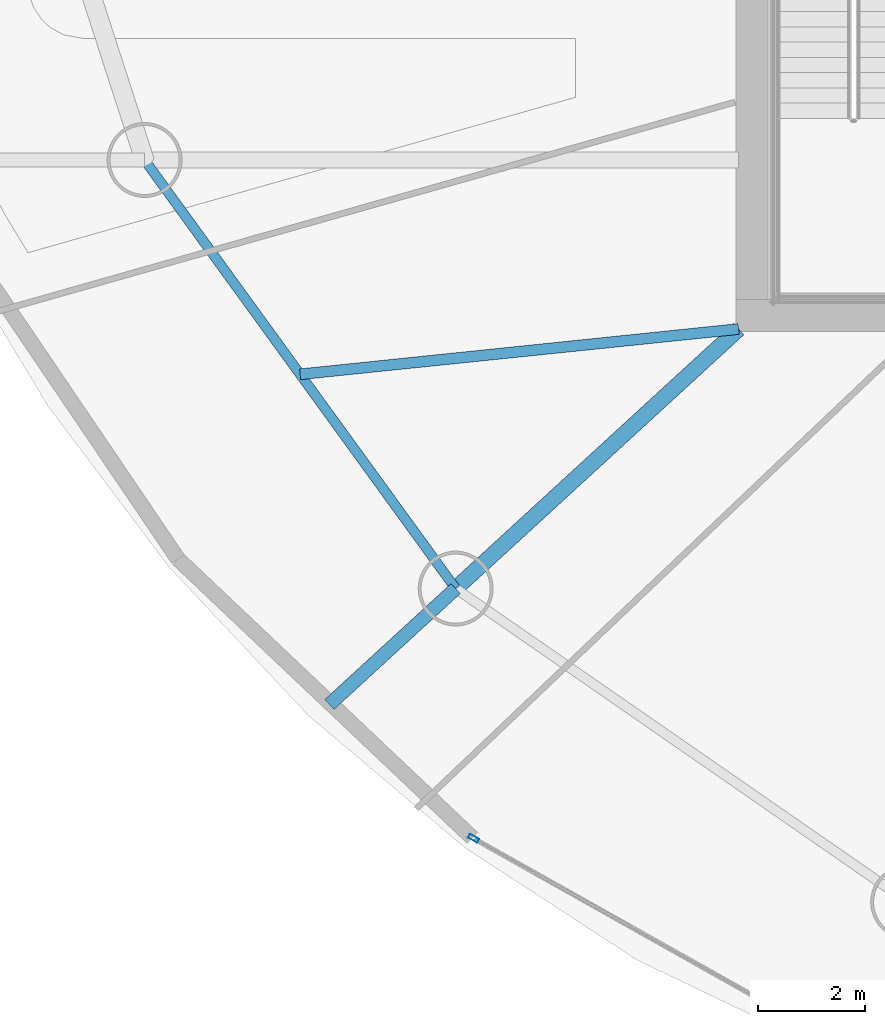
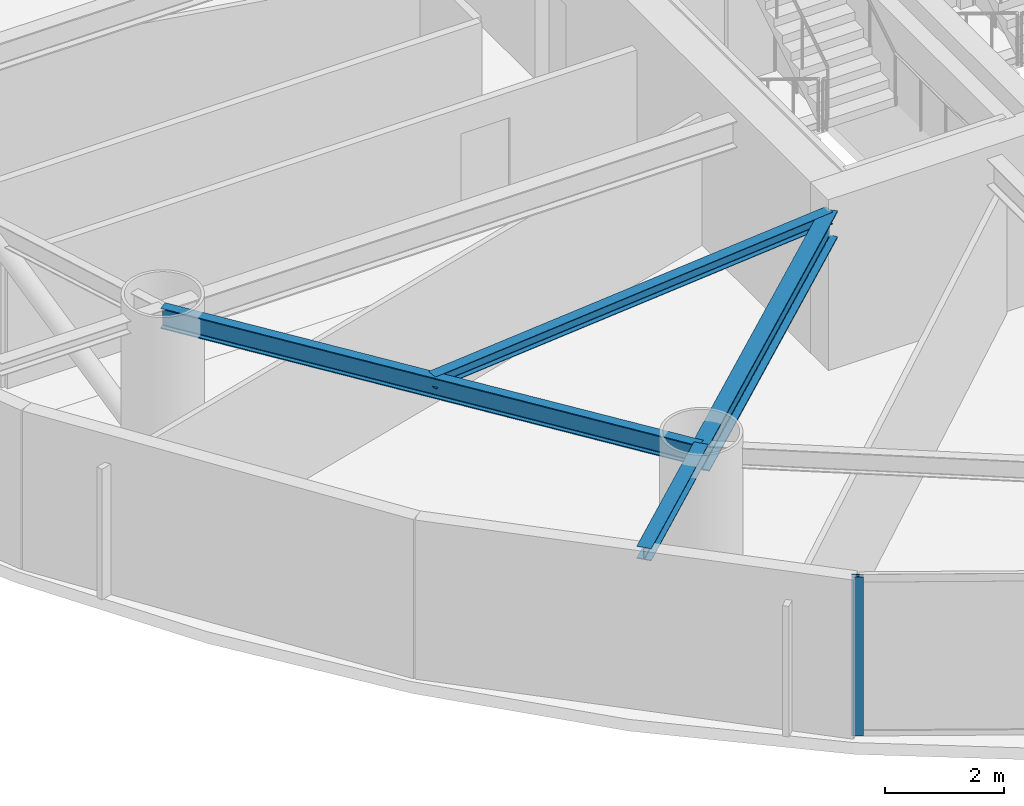
# One storey, part 2 of 22: 4 beams, 1 member, 1 element without a shape of its own.
"""IFC4 building model written with IfcOpenShell, lengths in metres."""

from ifc_helpers import new_model, si_unit, direction, frame, origin, origin_2d, place, context, subcontext, project, spatial, hollow_rectangle, i_section, extrude, material, layer, layer_set, material_profile, profile_set, type_object, element, aggregate, save


model = new_model("IFC4")

# Units and contexts
model_context = context("Model", 3, precision=1e-05, world=origin(), true_north=direction((0.0, 1.0)))
body_context = subcontext(model_context, "Body", "Model", "MODEL_VIEW")
ifc_project = project(units=[si_unit("LENGTHUNIT", "METRE"), si_unit("AREAUNIT", "SQUARE_METRE"), si_unit("VOLUMEUNIT", "CUBIC_METRE"), si_unit("PLANEANGLEUNIT", "RADIAN"), si_unit("MASSUNIT", "GRAM", prefix="KILO")], contexts=[model_context])

# Site, building, storey
site_placement = place(None, origin())
site = spatial("IfcSite", under=ifc_project, at=site_placement, CompositionType="ELEMENT")
building_placement = place(site_placement, origin())
building = spatial("IfcBuilding", under=site, at=building_placement, Name="Bramvorn Convention Spire", CompositionType="ELEMENT")
storey_placement = place(building_placement, frame((0.0, 0.0, 120.300048828125)))
storey = spatial("IfcBuildingStorey", under=building, at=storey_placement, Name="L29", CompositionType="ELEMENT", Elevation=120.300048828125)

# Beams
ifc_material_1 = material(Name="Steel CSA G40.21 Grade 350 (350W)", Category="steel")
ifc_material_profile_1 = material_profile(ifc_material_1, i_section(OverallWidth=0.201904296875, OverallDepth=0.2470703125, WebThickness=0.00732421875, FlangeThickness=0.010986328125, FilletRadius=0.011962890625, at=origin_2d()))
ifc_profile_set_1 = profile_set([ifc_material_profile_1], Name="Steel CSA G40.21 Grade 350 (350W) - W250X49")
beam_type_1 = type_object("IfcBeamType", Name="BM-W250X49", PredefinedType="JOIST", material=ifc_profile_set_1)
beam_1_placement = place(storey_placement, frame((26.75, 18.550048828125, 3.136474609375), z_axis=(-0.994705076194, -0.102770673804, 0.0), x_axis=(0.102770673804, -0.994705076194, 0.0)))
element("IfcBeam", 1, at=beam_1_placement, inside=storey, type_object=beam_type_1, Name="L29 composite floor joist 11", PredefinedType="JOIST", context=body_context, shape_type="SweptSolid", body=[
    extrude(i_section(OverallWidth=0.201904296875, OverallDepth=0.2470703125, WebThickness=0.00732421875, FlangeThickness=0.010986328125, FilletRadius=0.011962890625, at=origin_2d()), origin(), (0.0, 0.0, 1.0), 8.23388671875),
])
ifc_material_profile_2 = material_profile(ifc_material_1, i_section(OverallWidth=0.25390625, OverallDepth=0.2529296875, WebThickness=0.008544921875, FlangeThickness=0.01416015625, FilletRadius=0.011962890625, at=origin_2d()))
ifc_profile_set_2 = profile_set([ifc_material_profile_2], Name="Steel CSA G40.21 Grade 350 (350W) - W250X73")
beam_type_2 = type_object("IfcBeamType", Name="BM-W250X73", PredefinedType="BEAM", material=ifc_profile_set_2)
beam_2_placement = place(storey_placement, frame((21.465087890625, 13.700927734375, 3.133544921875), z_axis=(-0.736821501531, -0.676087327852, 0.0), x_axis=(0.676087327852, -0.736821501531, 0.0)))
element("IfcBeam", 2, at=beam_2_placement, inside=storey, type_object=beam_type_2, Name="L29 slab-edge cantilever tip beam MC12", PredefinedType="BEAM", context=body_context, shape_type="SweptSolid", body=[
    extrude(i_section(OverallWidth=0.25390625, OverallDepth=0.2529296875, WebThickness=0.008544921875, FlangeThickness=0.01416015625, FilletRadius=0.011962890625, at=origin_2d()), origin(), (0.0, 0.0, 1.0), 3.19970703125),
])
ifc_material_profile_3 = material_profile(ifc_material_1, i_section(OverallWidth=0.180908203125, OverallDepth=0.4169921875, WebThickness=0.010986328125, FlangeThickness=0.018310546875, FilletRadius=0.01611328125, at=origin_2d()))
ifc_profile_set_3 = profile_set([ifc_material_profile_3], Name="Steel CSA G40.21 Grade 350 (350W) - W410X85")
beam_type_3 = type_object("IfcBeamType", Name="BM-W410X85", PredefinedType="JOIST", material=ifc_profile_set_3)
beam_3_placement = place(storey_placement, frame((15.654296875, 21.706787109375, 3.051513671875), z_axis=(0.587401024629, -0.809296012757, 0.0), x_axis=(0.809296012757, 0.587401024629, 0.0)))
element("IfcBeam", 3, at=beam_3_placement, inside=storey, type_object=beam_type_3, Name="L29 mega-column ring beam 11", PredefinedType="JOIST", context=body_context, shape_type="SweptSolid", body=[
    extrude(i_section(OverallWidth=0.180908203125, OverallDepth=0.4169921875, WebThickness=0.010986328125, FlangeThickness=0.018310546875, FilletRadius=0.01611328125, at=origin_2d()), origin(), (0.0, 0.0, 1.0), 9.892333984375),
])
ifc_material_profile_4 = material_profile(ifc_material_1, i_section(OverallWidth=0.2919921875, OverallDepth=0.551025390625, WebThickness=0.01513671875, FlangeThickness=0.0244140625, FilletRadius=0.01904296875, at=origin_2d()))
ifc_profile_set_4 = profile_set([ifc_material_profile_4], Name="Steel CSA G40.21 Grade 350 (350W) - W530X182")
beam_type_4 = type_object("IfcBeamType", Name="BM-W530X182", PredefinedType="BEAM", material=ifc_profile_set_4)
beam_4_placement = place(storey_placement, frame((26.75, 18.550048828125, 2.984375), z_axis=(-0.736833323746, -0.676074443399, 0.0), x_axis=(0.676074443399, -0.736833323746, 0.0)))
element("IfcBeam", 4, at=beam_4_placement, inside=storey, type_object=beam_type_4, Name="L29 radial floor girder MC12", PredefinedType="BEAM", context=body_context, shape_type="SweptSolid", body=[
    extrude(i_section(OverallWidth=0.2919921875, OverallDepth=0.551025390625, WebThickness=0.01513671875, FlangeThickness=0.0244140625, FilletRadius=0.01904296875, at=origin_2d()), origin(), (0.0, 0.0, 1.0), 7.17236328125),
])

# Curtain wall, member
ifc_material_2 = material(Name="Anodised Bronze Unitised Curtain Wall", Category="aluminium")
ifc_layer = layer(ifc_material_2, 0.179931640625)
ifc_layer_set = layer_set([ifc_layer], Name="Anodised Bronze Unitised Curtain Wall - CW-HTL-FRIT")
curtain_wall_type = type_object("IfcCurtainWallType", Name="CW-HTL-FRIT", PredefinedType="USERDEFINED", material=ifc_layer_set)
curtain_wall_placement = place(storey_placement, origin())
curtain_wall = element("IfcCurtainWall", 5, at=curtain_wall_placement, inside=storey, type_object=curtain_wall_type, Name="L29 fritted glass curtain wall 18", ObjectType="UNITISED CURTAIN WALL", PredefinedType="USERDEFINED")
ifc_material_3 = material(Name="Anodised Bronze Aluminium 6063-T6", Category="aluminium")
ifc_material_profile_5 = material_profile(ifc_material_3, hollow_rectangle(XDim=0.080078125, YDim=0.199951171875, WallThickness=0.00390625, InnerFilletRadius=0.0009765625, OuterFilletRadius=0.00390625, at=origin_2d()))
ifc_profile_set_5 = profile_set([ifc_material_profile_5], Name="Anodised Bronze Aluminium 6063-T6 - CWM80X200")
member_type = type_object("IfcMemberType", Name="CW-MUL-180", PredefinedType="MULLION", material=ifc_profile_set_5)
member_placement = place(storey_placement, frame((21.79931640625, 9.034423828125, 0.0), z_axis=(0.0, 0.0, 1.0), x_axis=(-0.490107284119, -0.871662119203, 0.0)))
member = element("IfcMember", 6, at=member_placement, type_object=member_type, Name="CW2 mullion 2", PredefinedType="MULLION", context=body_context, shape_type="SweptSolid", body=[
    extrude(hollow_rectangle(XDim=0.080078125, YDim=0.199951171875, WallThickness=0.00390625, InnerFilletRadius=0.0009765625, OuterFilletRadius=0.00390625, at=origin_2d()), origin(), (0.0, 0.0, 1.0), 3.260009765625),
])
aggregate(curtain_wall, [member])

save(model, "model.ifc")
